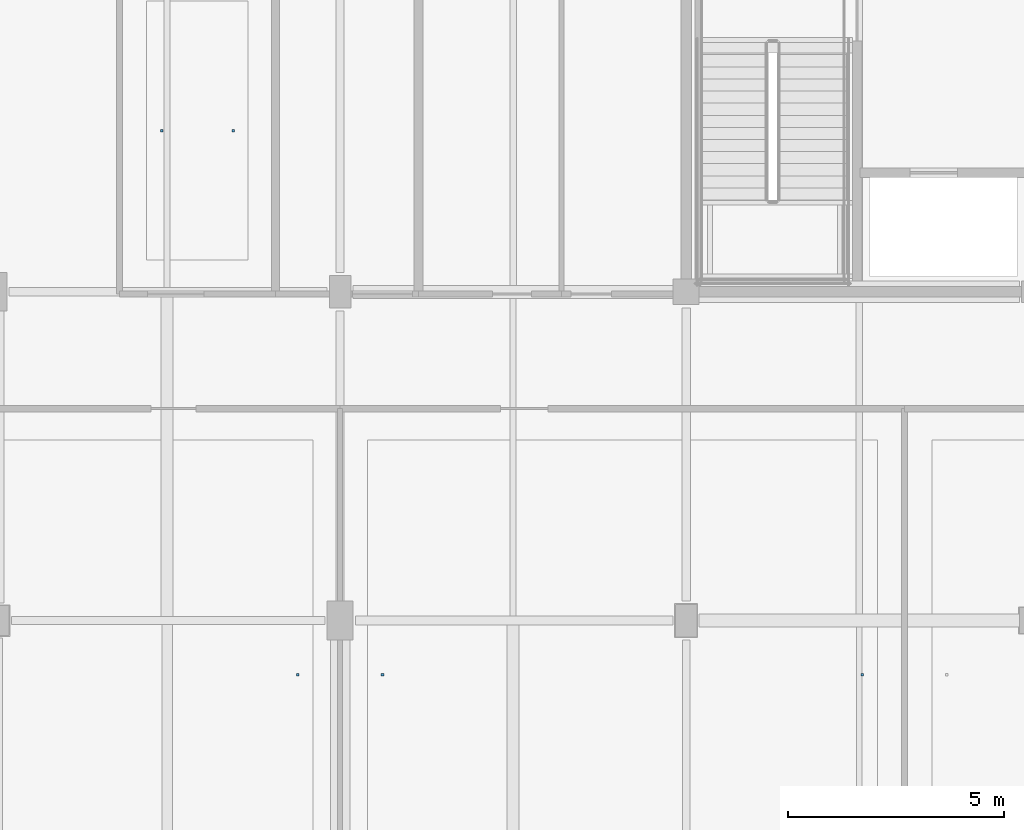
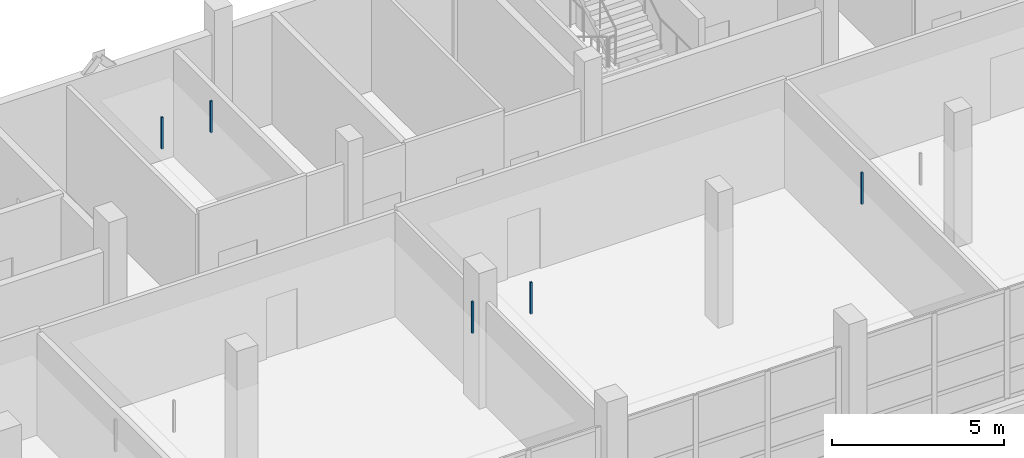
# One storey, part 91 of 107: 5 discrete accessories.
"""IFC4 building model written with IfcOpenShell, lengths in metres."""

from ifc_helpers import new_model, si_unit, direction, frame, origin, origin_2d, place, context, subcontext, project, spatial, rectangle, extrude, material, type_object, element, save


model = new_model("IFC4")

# Units and contexts
model_context = context("Model", 3, precision=1e-05, world=origin(), true_north=direction((0.0, 1.0)))
body_context = subcontext(model_context, "Body", "Model", "MODEL_VIEW")
ifc_project = project(units=[si_unit("LENGTHUNIT", "METRE"), si_unit("AREAUNIT", "SQUARE_METRE"), si_unit("VOLUMEUNIT", "CUBIC_METRE"), si_unit("PLANEANGLEUNIT", "RADIAN"), si_unit("MASSUNIT", "GRAM", prefix="KILO")], contexts=[model_context])

# Site, building, storey
site_placement = place(None, origin())
site = spatial("IfcSite", under=ifc_project, at=site_placement, CompositionType="ELEMENT")
building_placement = place(site_placement, origin())
building = spatial("IfcBuilding", under=site, at=building_placement, Name="Khelvaren Railside Concert Hall", CompositionType="ELEMENT")
storey_placement = place(building_placement, frame((0.0, 0.0, 15.0)))
storey = spatial("IfcBuildingStorey", under=building, at=storey_placement, Name="L03", CompositionType="ELEMENT", Elevation=15.0)

# Discrete accessories
ifc_material = material(Name="Galvanised steel acoustic ceiling hanger rod", Category="steel")
discrete_accessory_type = type_object("IfcDiscreteAccessoryType", Name="BRK62", PredefinedType="BRACKET", material=ifc_material)
for number, where, z_axis, x_axis, name in (
    (1, (159.02001953125, 97.550048828125, 3.429931640625), (0.0, 0.0, 1.0), (1.0, 0.0, 0.0), "Acoustic Ceiling Suspension Bracket 156-2"),
    (2, (160.97998046875, 97.550048828125, 3.429931640625), (0.0, 0.0, 1.0), (1.0, 0.0, 0.0), "Acoustic Ceiling Suspension Bracket 157-1"),
    (3, (172.06689453125, 97.550048828125, 3.429931640625), (0.0, 0.0, 1.0), (1.0, 0.0, 0.0), "Acoustic Ceiling Suspension Bracket 157-2"),
    (4, (155.8798828125, 110.125, 3.429931640625), (0.0, 0.0, 1.0), (1.0, 0.0, 0.0), "Acoustic Ceiling Suspension Bracket 160-1"),
    (5, (157.52587890625, 110.125, 3.429931640625), (0.0, 0.0, 1.0), (1.0, 0.0, 0.0), "Acoustic Ceiling Suspension Bracket 160-2"),
):
    element("IfcDiscreteAccessory", number, at=place(storey_placement, frame(where, z_axis=z_axis, x_axis=x_axis)), inside=storey, type_object=discrete_accessory_type, Name=name, PredefinedType="BRACKET", context=body_context, shape_type="SweptSolid", body=[
        extrude(rectangle(XDim=0.06005859375, YDim=0.06005859375, at=origin_2d()), origin(), (0.0, 0.0, 1.0), 1.1201171875),
    ])

save(model, "model.ifc")
